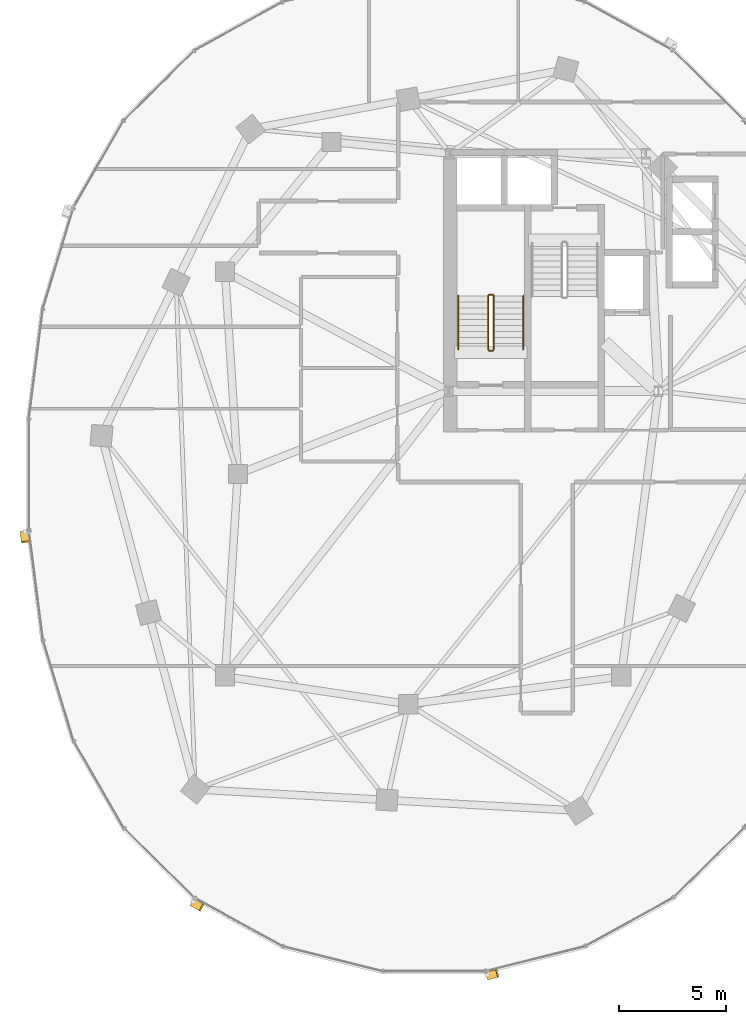
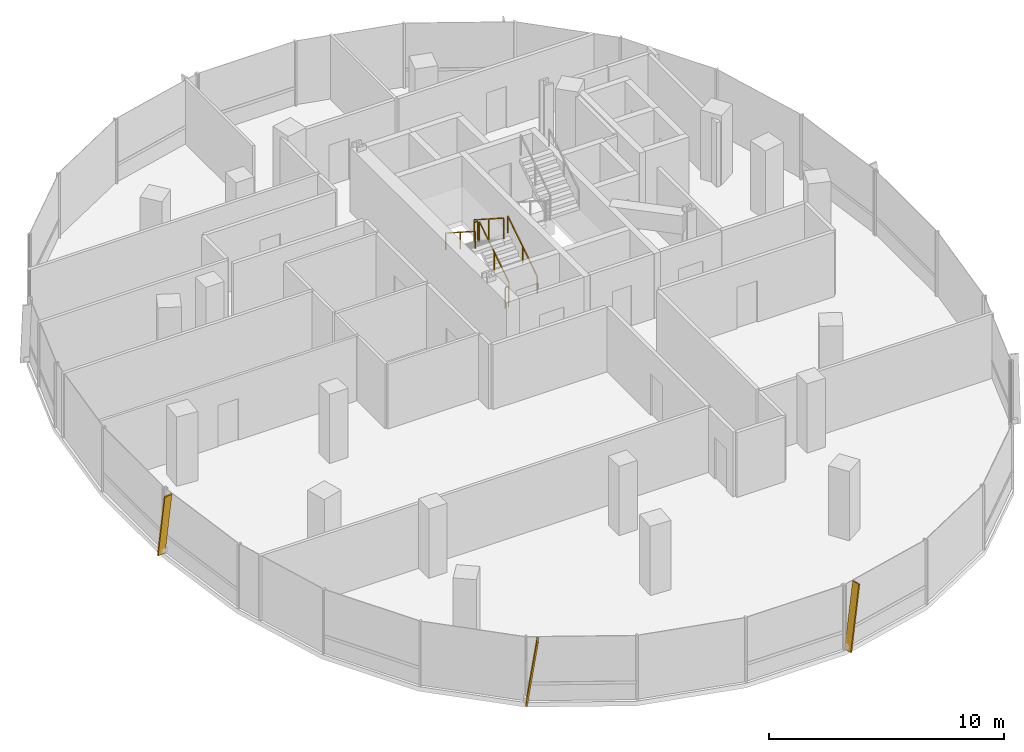
# One storey, part 18 of 22: 6 railings, 3 shading devices.
"""IFC4 building model written with IfcOpenShell, lengths in metres."""

from ifc_helpers import new_model, si_unit, direction, frame, origin, origin_2d, place, context, subcontext, project, spatial, rectangle, extrude, material, material_profile, profile_set, type_object, element, save


model = new_model("IFC4")

# Units and contexts
model_context = context("Model", 3, precision=1e-05, world=origin(), true_north=direction((0.0, 1.0)))
body_context = subcontext(model_context, "Body", "Model", "MODEL_VIEW")
ifc_project = project(units=[si_unit("LENGTHUNIT", "METRE"), si_unit("AREAUNIT", "SQUARE_METRE"), si_unit("VOLUMEUNIT", "CUBIC_METRE"), si_unit("PLANEANGLEUNIT", "RADIAN"), si_unit("MASSUNIT", "GRAM", prefix="KILO"), si_unit("THERMODYNAMICTEMPERATUREUNIT", "KELVIN"), si_unit("POWERUNIT", "WATT")], contexts=[model_context])

# Site, building, storey
site_placement = place(None, origin())
site = spatial("IfcSite", under=ifc_project, at=site_placement, CompositionType="ELEMENT")
building_placement = place(site_placement, origin())
building = spatial("IfcBuilding", under=site, at=building_placement, Name="Cundina Bronze Exchange", CompositionType="ELEMENT")
storey_placement = place(building_placement, frame((0.0, 0.0, 154.800048828125)))
storey = spatial("IfcBuildingStorey", under=building, at=storey_placement, Name="L40", CompositionType="ELEMENT", Elevation=154.800048828125)

# Railings
ifc_material_1 = material(Name="Steel ASTM A36 Painted", Category="steel")
railing_type_1 = type_object("IfcRailingType", Name="RLG-HND-900", PredefinedType="HANDRAIL", material=ifc_material_1)
railing_1_placement = place(storey_placement, frame((-27.7900390625, 5.85009765625, 0.179931640625)))
element("IfcRailing", 1, at=railing_1_placement, inside=storey, type_object=railing_type_1, Name="L40 ST-W1 stair handrail 1", PredefinedType="HANDRAIL", context=body_context, shape_type="SweptSolid", body=[
    extrude(rectangle(XDim=0.048095703125, YDim=0.048095703125, at=origin_2d()), frame((0.0, 0.0, 0.8759765625), z_axis=(0.0, 0.841162588446, 0.540782303519), x_axis=(-1.0, 0.0, 0.0)), (0.0, 0.0, 1.0), 2.995849609375),
    extrude(rectangle(XDim=0.0419921875, YDim=0.0419921875, at=origin_2d()), origin(), (0.0, 0.0, 1.0), 0.851806640625),
    extrude(rectangle(XDim=0.0419921875, YDim=0.0419921875, at=origin_2d()), frame((0.0, 1.260009765625, 0.81005859375)), (0.0, 0.0, 1.0), 0.851806640625),
    extrude(rectangle(XDim=0.0419921875, YDim=0.0419921875, at=origin_2d()), frame((0.0, 2.52001953125, 1.6201171875)), (0.0, 0.0, 1.0), 0.851806640625),
])
railing_2_placement = place(storey_placement, frame((-30.85009765625, 8.3701171875, 1.97998046875)))
element("IfcRailing", 2, at=railing_2_placement, inside=storey, type_object=railing_type_1, Name="L40 ST-W1 stair handrail 2", PredefinedType="HANDRAIL", context=body_context, shape_type="SweptSolid", body=[
    extrude(rectangle(XDim=0.048095703125, YDim=0.048095703125, at=origin_2d()), frame((0.0, 0.0, 0.8759765625), z_axis=(0.0, -0.841199657755, 0.540724639528), x_axis=(1.0, 0.0, 0.0)), (0.0, 0.0, 1.0), 2.995849609375),
    extrude(rectangle(XDim=0.0419921875, YDim=0.0419921875, at=origin_2d()), origin(), (0.0, 0.0, 1.0), 0.851806640625),
    extrude(rectangle(XDim=0.0419921875, YDim=0.0419921875, at=origin_2d()), frame((0.0, -1.260009765625, 0.81005859375)), (0.0, 0.0, 1.0), 0.851806640625),
    extrude(rectangle(XDim=0.0419921875, YDim=0.0419921875, at=origin_2d()), frame((0.0, -2.52001953125, 1.619873046875)), (0.0, 0.0, 1.0), 0.851806640625),
])
railing_type_2 = type_object("IfcRailingType", Name="RLG-STG-1100", PredefinedType="GUARDRAIL", material=ifc_material_1)
railing_3_placement = place(storey_placement, frame((-29.18994140625, 5.85009765625, 0.179931640625)))
element("IfcRailing", 3, at=railing_3_placement, inside=storey, type_object=railing_type_2, Name="L40 ST-W1 stair guard 1", PredefinedType="GUARDRAIL", context=body_context, shape_type="SweptSolid", body=[
    extrude(rectangle(XDim=0.048095703125, YDim=0.048095703125, at=origin_2d()), frame((0.0, 0.0, 1.076171875), z_axis=(0.0, 0.841162588446, 0.540782303519), x_axis=(-1.0, 0.0, 0.0)), (0.0, 0.0, 1.0), 2.995849609375),
    extrude(rectangle(XDim=0.0419921875, YDim=0.0419921875, at=origin_2d()), origin(), (0.0, 0.0, 1.0), 1.052001953125),
    extrude(rectangle(XDim=0.0419921875, YDim=0.0419921875, at=origin_2d()), frame((0.0, 1.260009765625, 0.81005859375)), (0.0, 0.0, 1.0), 1.052001953125),
    extrude(rectangle(XDim=0.0419921875, YDim=0.0419921875, at=origin_2d()), frame((0.0, 2.52001953125, 1.6201171875)), (0.0, 0.0, 1.0), 1.052001953125),
])
railing_4_placement = place(storey_placement, frame((-29.239990234375, 8.419921875, 1.800048828125)))
element("IfcRailing", 4, at=railing_4_placement, inside=storey, type_object=railing_type_2, Name="L40 ST-W1 stair guard 2", PredefinedType="GUARDRAIL", context=body_context, shape_type="SweptSolid", body=[
    extrude(rectangle(XDim=0.048095703125, YDim=0.048095703125, at=origin_2d()), frame((0.0, 0.0, 1.076171875), z_axis=(-1.0, 0.0, 0.0), x_axis=(0.0, -1.0, 0.0)), (0.0, 0.0, 1.0), 0.159912109375),
    extrude(rectangle(XDim=0.0419921875, YDim=0.0419921875, at=origin_2d()), origin(), (0.0, 0.0, 1.0), 1.052001953125),
    extrude(rectangle(XDim=0.0419921875, YDim=0.0419921875, at=origin_2d()), frame((-0.159912109375, 0.0, 0.0)), (0.0, 0.0, 1.0), 1.052001953125),
])
railing_5_placement = place(storey_placement, frame((-29.449951171875, 8.3701171875, 1.97998046875)))
element("IfcRailing", 5, at=railing_5_placement, inside=storey, type_object=railing_type_2, Name="L40 ST-W1 stair guard 3", PredefinedType="GUARDRAIL", context=body_context, shape_type="SweptSolid", body=[
    extrude(rectangle(XDim=0.048095703125, YDim=0.048095703125, at=origin_2d()), frame((0.0, 0.0, 1.076171875), z_axis=(0.0, -0.841199657755, 0.540724639528), x_axis=(1.0, 0.0, 0.0)), (0.0, 0.0, 1.0), 2.995849609375),
    extrude(rectangle(XDim=0.0419921875, YDim=0.0419921875, at=origin_2d()), origin(), (0.0, 0.0, 1.0), 1.052001953125),
    extrude(rectangle(XDim=0.0419921875, YDim=0.0419921875, at=origin_2d()), frame((0.0, -1.260009765625, 0.81005859375)), (0.0, 0.0, 1.0), 1.052001953125),
    extrude(rectangle(XDim=0.0419921875, YDim=0.0419921875, at=origin_2d()), frame((0.0, -2.52001953125, 1.619873046875)), (0.0, 0.0, 1.0), 1.052001953125),
])
railing_6_placement = place(storey_placement, frame((-29.239990234375, 5.800048828125, 0.0)))
element("IfcRailing", 6, at=railing_6_placement, inside=storey, type_object=railing_type_2, Name="L40 ST-W1 stair guard 4", PredefinedType="GUARDRAIL", context=body_context, shape_type="SweptSolid", body=[
    extrude(rectangle(XDim=0.048095703125, YDim=0.048095703125, at=origin_2d()), frame((0.0, 0.0, 1.076171875), z_axis=(-1.0, 0.0, 0.0), x_axis=(0.0, -1.0, 0.0)), (0.0, 0.0, 1.0), 0.159912109375),
    extrude(rectangle(XDim=0.0419921875, YDim=0.0419921875, at=origin_2d()), origin(), (0.0, 0.0, 1.0), 1.052001953125),
    extrude(rectangle(XDim=0.0419921875, YDim=0.0419921875, at=origin_2d()), frame((-0.159912109375, 0.0, 0.0)), (0.0, 0.0, 1.0), 1.052001953125),
])

# Shading devices
ifc_material_2 = material(Name="Anodised Bronze Aluminium 6063-T6", Category="aluminium")
ifc_material_profile = material_profile(ifc_material_2, rectangle(XDim=0.070068359375, YDim=0.3798828125, at=origin_2d()), Name="FIN70X380", Category="aluminium")
ifc_profile_set = profile_set([ifc_material_profile], Name="Anodised Bronze Aluminium 6063-T6")
shading_device_type = type_object("IfcShadingDeviceType", Name="SHD-FIN-BRZ380", PredefinedType="USERDEFINED", material=ifc_profile_set)
for number, where, z_axis, x_axis, name in (
    (7, (-51.23486328125, -2.705810546875, 0.02001953125), (0.018123110499, -0.141927973785, 0.989711070527), (-0.125360600332, 0.981739641151, 0.143080386066), "L40 Diagonal Bronze Solar Fin 1"),
    (8, (-43.320068359375, -20.11181640625, 0.02001953125), (0.125333488691, -0.068998924088, 0.989712415345), (-0.867010347902, 0.477308832643, 0.143071083426), "L40 Diagonal Bronze Solar Fin 5"),
    (9, (-29.48046875, -23.556396484375, 0.02001953125), (0.138798398751, 0.034717795597, 0.989711917263), (-0.960131970194, -0.240158861973, 0.143074528925), "L40 Diagonal Bronze Solar Fin 1"),
):
    element("IfcShadingDevice", number, at=place(storey_placement, frame(where, z_axis=z_axis, x_axis=x_axis)), inside=storey, type_object=shading_device_type, Name=name, ObjectType="FIN", PredefinedType="USERDEFINED", context=body_context, shape_type="SweptSolid", body=[
        extrude(rectangle(XDim=0.070068359375, YDim=0.3798828125, at=origin_2d()), origin(), (0.0, 0.0, 1.0), 3.354248046875),
    ])

save(model, "model.ifc")
